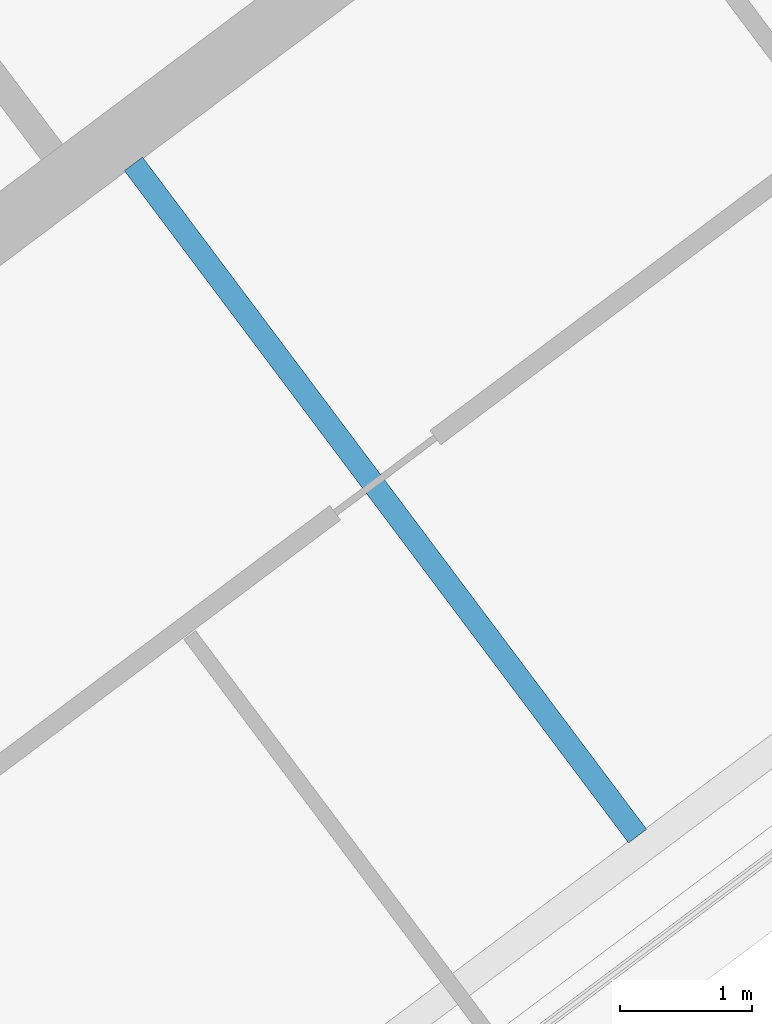
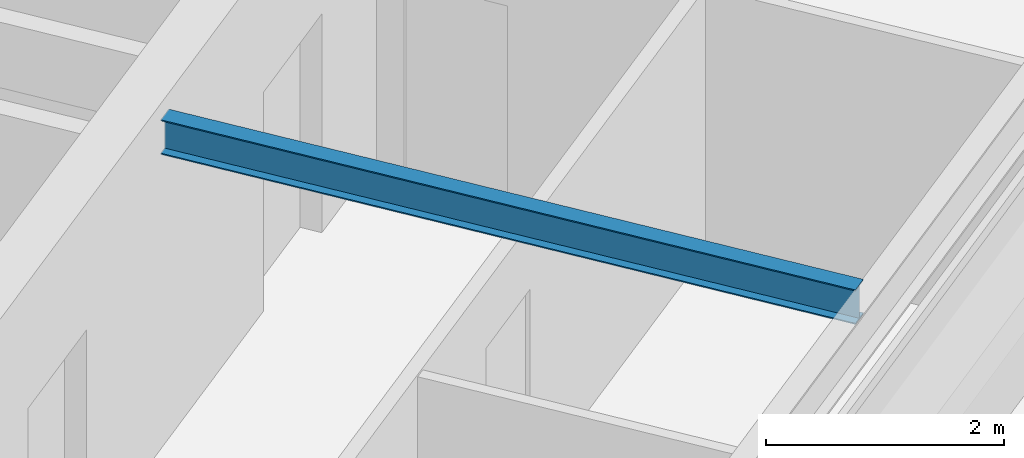
# One storey, part 18 of 36: 1 beam.
"""IFC4 building model written with IfcOpenShell, lengths in metres."""

from ifc_helpers import new_model, si_unit, direction, frame, origin, origin_2d, place, context, subcontext, project, spatial, i_section, extrude, material, material_profile, profile_set, type_object, element, save


model = new_model("IFC4")

# Units and contexts
model_context = context("Model", 3, precision=1e-05, world=origin(), true_north=direction((0.0, 1.0)))
body_context = subcontext(model_context, "Body", "Model", "MODEL_VIEW")
ifc_project = project(units=[si_unit("LENGTHUNIT", "METRE"), si_unit("AREAUNIT", "SQUARE_METRE"), si_unit("VOLUMEUNIT", "CUBIC_METRE"), si_unit("PLANEANGLEUNIT", "RADIAN"), si_unit("MASSUNIT", "GRAM", prefix="KILO")], contexts=[model_context])

# Site, building, storey
site_placement = place(None, origin())
site = spatial("IfcSite", under=ifc_project, at=site_placement, CompositionType="ELEMENT")
building_placement = place(site_placement, origin())
building = spatial("IfcBuilding", under=site, at=building_placement, Name="Tashvorn Skyway Center", CompositionType="ELEMENT")
storey_placement = place(building_placement, frame((0.0, 0.0, 236.14990234375)))
storey = spatial("IfcBuildingStorey", under=building, at=storey_placement, Name="L64", CompositionType="ELEMENT", Elevation=236.14990234375)

# Beam
ifc_material = material(Name="Steel ASTM A992 Grade 50", Category="steel")
ifc_material_profile = material_profile(ifc_material, i_section(OverallWidth=0.1708984375, OverallDepth=0.35498046875, WebThickness=0.007080078125, FlangeThickness=0.01171875, at=origin_2d()), Name="W14X34")
ifc_profile_set = profile_set([ifc_material_profile], Name="Steel ASTM A992 Grade 50")
beam_type = type_object("IfcBeamType", Name="BM-JOIST-W14X34", PredefinedType="JOIST", material=ifc_profile_set)
beam_placement = place(storey_placement, frame((118.674072265625, 25.76806640625, 3.192626953125), z_axis=(0.599981581373, -0.800013813639, 0.0), x_axis=(0.800013813639, 0.599981581373, 0.0)))
element("IfcBeam", 1, at=beam_placement, inside=storey, type_object=beam_type, Name="Tower 2 L64 Secondary Composite Joist JS", PredefinedType="JOIST", context=body_context, shape_type="SweptSolid", body=[
    extrude(i_section(OverallWidth=0.1708984375, OverallDepth=0.35498046875, WebThickness=0.007080078125, FlangeThickness=0.01171875, at=origin_2d()), origin(), (0.0, 0.0, 1.0), 6.362548828125),
])

save(model, "model.ifc")
